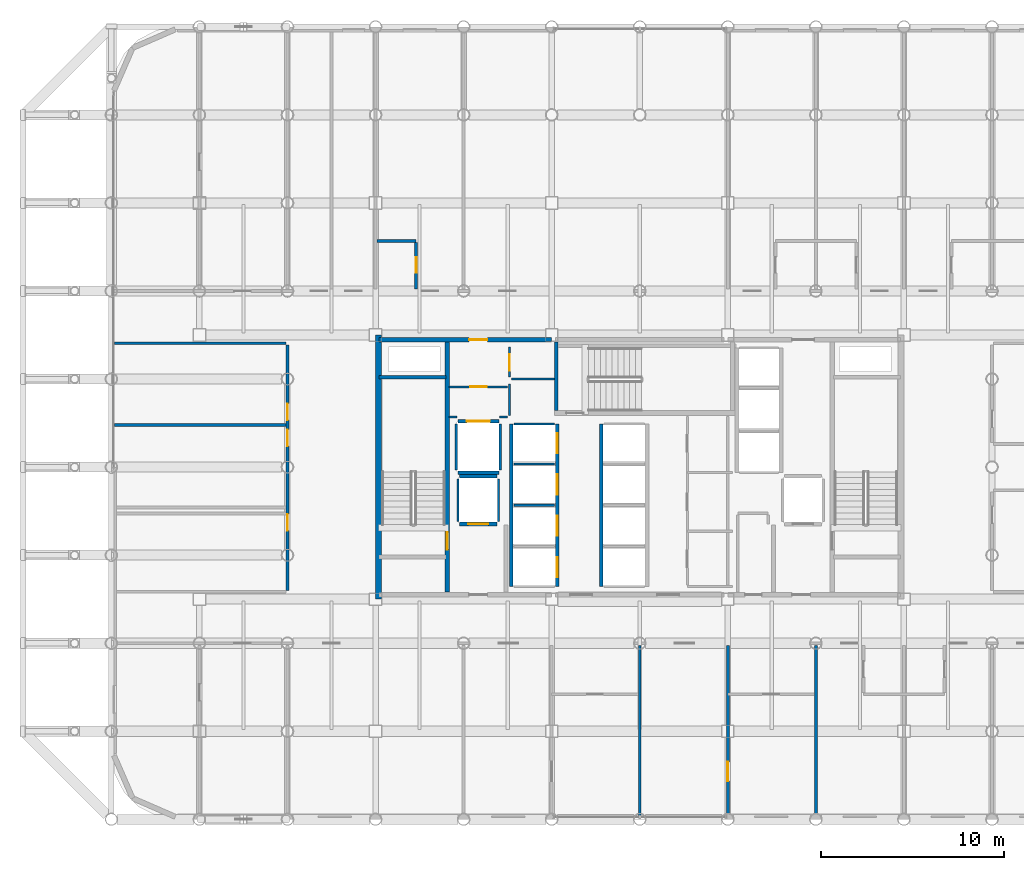
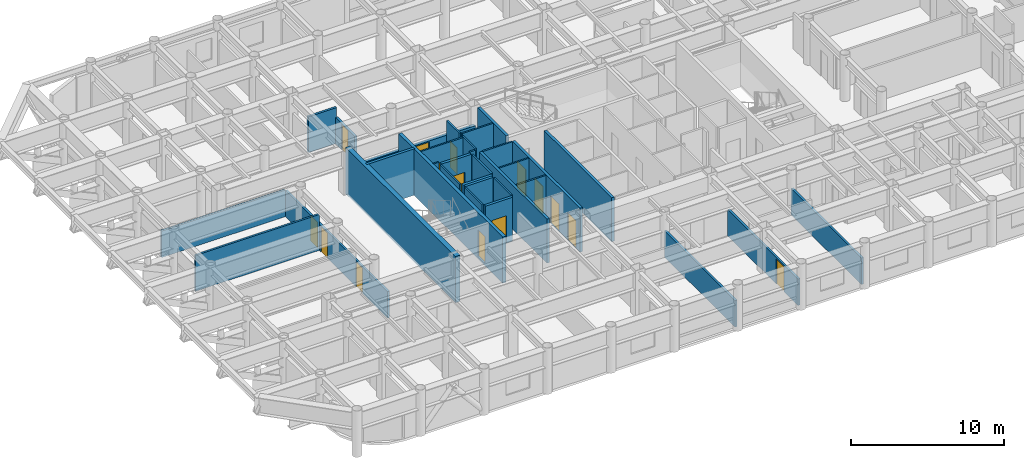
# One storey, part 18 of 23: 33 walls, 15 doors, 15 openings.
"""IFC4 building model written with IfcOpenShell, lengths in metres."""

from ifc_helpers import new_model, si_unit, direction, frame, frame_2d, origin, place, context, subcontext, project, spatial, rectangle, extrude, material, layer, layer_set, type_object, element, fill, save


model = new_model("IFC4")

# Units and contexts
model_context = context("Model", 3, precision=1e-05, world=origin(), true_north=direction((0.0, 1.0)))
body_context = subcontext(model_context, "Body", "Model", "MODEL_VIEW")
ifc_project = project(units=[si_unit("LENGTHUNIT", "METRE"), si_unit("AREAUNIT", "SQUARE_METRE"), si_unit("VOLUMEUNIT", "CUBIC_METRE"), si_unit("PLANEANGLEUNIT", "RADIAN"), si_unit("MASSUNIT", "GRAM", prefix="KILO")], contexts=[model_context])

# Site, building, storey
site_placement = place(None, origin())
site = spatial("IfcSite", under=ifc_project, at=site_placement, CompositionType="ELEMENT")
building_placement = place(site_placement, origin())
building = spatial("IfcBuilding", under=site, at=building_placement, Name="Kallvorn Hotel Tower", CompositionType="ELEMENT")
storey_placement = place(building_placement, frame((0.0, 0.0, 121.10009765625)))
storey = spatial("IfcBuildingStorey", under=building, at=storey_placement, Name="L29", CompositionType="ELEMENT", Elevation=121.10009765625)

# Walls
ifc_material_1 = material(Name="Concrete C50/60", Category="concrete")
ifc_layer_1 = layer(ifc_material_1, 0.35009765625)
ifc_layer_set_1 = layer_set([ifc_layer_1], Name="WL_CORE_350")
wall_type_1 = type_object("IfcWallType", Name="WL_CORE_350", PredefinedType="SHEAR", material=ifc_layer_set_1)
wall_1_placement = place(storey_placement, frame((-14.239990234375, -7.199951171875, -0.18017578125), z_axis=(0.0, 0.0, 1.0), x_axis=(0.0, 1.0, 0.0)))
element("IfcWall", 1, at=wall_1_placement, inside=storey, type_object=wall_type_1, Name="L29 Core West Shear Wall", PredefinedType="SHEAR", context=body_context, shape_type="SweptSolid", body=[
    extrude(rectangle(XDim=14.39990234375, YDim=0.35009765625, at=frame_2d((7.199951171875, 0.0))), origin(), (0.0, 0.0, 1.0), 3.7001953125),
])
ifc_material_2 = material(Name="Fire-rated double-layer acoustic gypsum drywall EI 60")
ifc_layer_2 = layer(ifc_material_2, 0.159912109375)
ifc_layer_set_2 = layer_set([ifc_layer_2], Name="WL_DEMISE_160")
wall_type_2 = type_object("IfcWallType", Name="WL_DEMISE_160", PredefinedType="PARTITIONING", material=ifc_layer_set_2)
wall_2_placement = place(storey_placement, frame((-14.320068359375, 12.320068359375, 0.0), z_axis=(0.0, 0.0, 1.0), x_axis=(1.0, 0.0, 0.0)))
element("IfcWall", 2, at=wall_2_placement, inside=storey, type_object=wall_type_2, Name="L29 Suite 2908 Standard Twin Room Partition", PredefinedType="PARTITIONING", context=body_context, shape_type="SweptSolid", body=[
    extrude(rectangle(XDim=2.130126953125, YDim=0.159912109375, at=frame_2d((1.06494140625, 0.0))), origin(), (0.0, 0.0, 1.0), 2.869873046875),
])

# Wall, opening, door
wall_3_placement = place(storey_placement, frame((-12.18994140625, 9.719970703125, 0.0), z_axis=(0.0, 0.0, 1.0), x_axis=(0.0, 1.0, 0.0)))
wall_3 = element("IfcWall", 3, at=wall_3_placement, inside=storey, type_object=wall_type_2, Name="L29 Suite 2908 Standard Twin Room Partition", PredefinedType="PARTITIONING", context=body_context, shape_type="SweptSolid", body=[
    extrude(rectangle(XDim=2.51513671875, YDim=0.159912109375, at=frame_2d((1.257568359375, 0.0))), origin(), (0.0, 0.0, 1.0), 2.119873046875),
])
opening_1_placement = place(wall_3_placement, frame((0.8701171875, 0.0, 0.0)))
opening_1 = element("IfcOpeningElement", 4, at=opening_1_placement, cuts=wall_3, Name="Opening BD-IA", PredefinedType="OPENING", context=body_context, shape_type="SweptSolid", body=[
    extrude(rectangle(XDim=0.860107421875, YDim=2.02001953125, at=frame_2d((0.43017578125, 1.010009765625))), frame((0.0, 0.094970703125, 0.0), z_axis=(0.0, -1.0, 0.0), x_axis=(1.0, 0.0, 0.0)), (0.0, 0.0, 1.0), 0.18994140625),
])
ifc_material_3 = material(Name="Solid-core walnut veneer fire-rated timber door leaf", Category="wood")
door_type_1 = type_object("IfcDoorType", Name="DR_BATH_860x2020", OperationType="NOTDEFINED", PredefinedType="DOOR", material=ifc_material_3)
door_1_placement = place(opening_1_placement, origin())
door_1 = element("IfcDoor", 5, at=door_1_placement, inside=storey, type_object=door_type_1, Name="L29 Suite 2908 En-Suite Bathroom Door", OperationType="SINGLE_SWING_LEFT", OverallHeight=2.02001953125, OverallWidth=0.860107421875, PredefinedType="DOOR", context=body_context, shape_type="SweptSolid", body=[
    extrude(rectangle(XDim=0.860107421875, YDim=2.02001953125, at=frame_2d((0.43017578125, 1.010009765625))), frame((0.0, 0.02490234375, 0.0), z_axis=(0.0, -1.0, 0.0), x_axis=(1.0, 0.0, 0.0)), (0.0, 0.0, 1.0), 0.050048828125),
])
fill(opening_1, door_1)

# Wall
wall_4_placement = place(storey_placement, frame((0.0, -18.9951171875, 0.0), z_axis=(0.0, 0.0, 1.0), x_axis=(0.0, 1.0, 0.0)))
element("IfcWall", 6, at=wall_4_placement, inside=storey, type_object=wall_type_2, Name="L29 Suite 2903 Executive Bedroom Partition", PredefinedType="PARTITIONING", context=body_context, shape_type="SweptSolid", body=[
    extrude(rectangle(XDim=9.275146484375, YDim=0.159912109375, at=frame_2d((4.6376953125, 0.0))), origin(), (0.0, 0.0, 1.0), 2.119873046875),
])

# Wall, opening, door
wall_5_placement = place(storey_placement, frame((4.800048828125, -18.909912109375, 0.0), z_axis=(0.0, 0.0, 1.0), x_axis=(0.0, 1.0, 0.0)))
wall_5 = element("IfcWall", 7, at=wall_5_placement, inside=storey, type_object=wall_type_2, Name="L29 Suite 2904 Executive Bedroom Partition", PredefinedType="PARTITIONING", context=body_context, shape_type="SweptSolid", body=[
    extrude(rectangle(XDim=9.18994140625, YDim=0.159912109375, at=frame_2d((4.594970703125, 0.0))), origin(), (0.0, 0.0, 1.0), 2.119873046875),
])
opening_2_placement = place(wall_5_placement, frame((1.79296875, 0.0, 0.0)))
opening_2 = element("IfcOpeningElement", 8, at=opening_2_placement, cuts=wall_5, Name="Opening GD2A", PredefinedType="OPENING", context=body_context, shape_type="SweptSolid", body=[
    extrude(rectangle(XDim=1.050048828125, YDim=2.02001953125, at=frame_2d((0.52490234375, 1.010009765625))), frame((0.0, 0.094970703125, 0.0), z_axis=(0.0, -1.0, 0.0), x_axis=(1.0, 0.0, 0.0)), (0.0, 0.0, 1.0), 0.18994140625),
])
ifc_material_4 = material(Name="Solid-core walnut veneer fire-rated timber door leaf", Category="wood")
door_type_2 = type_object("IfcDoorType", Name="DR_SUITE_1050x2020", OperationType="NOTDEFINED", PredefinedType="DOOR", material=ifc_material_4)
door_2_placement = place(opening_2_placement, origin())
door_2 = element("IfcDoor", 9, at=door_2_placement, inside=storey, type_object=door_type_2, Name="L29 Suite 2904 Executive Bedroom Door", OperationType="SINGLE_SWING_LEFT", OverallHeight=2.02001953125, OverallWidth=1.050048828125, PredefinedType="DOOR", context=body_context, shape_type="SweptSolid", body=[
    extrude(rectangle(XDim=1.050048828125, YDim=2.02001953125, at=frame_2d((0.52490234375, 1.010009765625))), frame((0.0, 0.02490234375, 0.0), z_axis=(0.0, -1.0, 0.0), x_axis=(1.0, 0.0, 0.0)), (0.0, 0.0, 1.0), 0.050048828125),
])
fill(opening_2, door_2)

# Walls
wall_6_placement = place(storey_placement, frame((9.60009765625, -18.909912109375, 0.0), z_axis=(0.0, 0.0, 1.0), x_axis=(0.0, 1.0, 0.0)))
element("IfcWall", 10, at=wall_6_placement, inside=storey, type_object=wall_type_2, Name="L29 Suite 2904 Executive Bedroom Partition", PredefinedType="PARTITIONING", context=body_context, shape_type="SweptSolid", body=[
    extrude(rectangle(XDim=9.18994140625, YDim=0.159912109375, at=frame_2d((4.594970703125, 0.0))), origin(), (0.0, 0.0, 1.0), 2.119873046875),
])
ifc_material_5 = material(Name="Concrete C40/50", Category="concrete")
ifc_layer_3 = layer(ifc_material_5, 0.199951171875)
ifc_layer_set_3 = layer_set([ifc_layer_3], Name="WL_HOIST_200")
wall_type_3 = type_object("IfcWallType", Name="WL_HOIST_200", PredefinedType="SOLIDWALL", material=ifc_layer_set_3)
wall_7_placement = place(storey_placement, frame((-14.199951171875, 4.89990234375, -0.18017578125), z_axis=(0.0, 0.0, 1.0), x_axis=(1.0, 0.0, 0.0)))
element("IfcWall", 11, at=wall_7_placement, inside=storey, type_object=wall_type_3, Name="L29 Stair ST1 North Wall", PredefinedType="SOLIDWALL", context=body_context, shape_type="SweptSolid", body=[
    extrude(rectangle(XDim=3.64990234375, YDim=0.199951171875, at=frame_2d((1.824951171875, 0.0))), origin(), (0.0, 0.0, 1.0), 3.7001953125),
])
wall_8_placement = place(storey_placement, frame((-4.550048828125, 3.080078125, -0.18017578125), z_axis=(0.0, 0.0, 1.0), x_axis=(0.0, 1.0, 0.0)))
element("IfcWall", 12, at=wall_8_placement, inside=storey, type_object=wall_type_3, Name="L29 Stair ST3 West Wall", PredefinedType="SOLIDWALL", context=body_context, shape_type="SweptSolid", body=[
    extrude(rectangle(XDim=3.739990234375, YDim=0.199951171875, at=frame_2d((1.8701171875, 0.0))), origin(), (0.0, 0.0, 1.0), 3.7001953125),
])

# Wall, openings, doors
wall_9_placement = place(storey_placement, frame((-4.5, -6.5, 0.0), z_axis=(0.0, 0.0, 1.0), x_axis=(0.0, 1.0, 0.0)))
wall_9 = element("IfcWall", 13, at=wall_9_placement, inside=storey, type_object=wall_type_3, Name="L29 Lift Bank B1 Landing Wall", PredefinedType="SOLIDWALL", context=body_context, shape_type="SweptSolid", body=[
    extrude(rectangle(XDim=8.85009765625, YDim=0.199951171875, at=frame_2d((4.425048828125, 0.0))), origin(), (0.0, 0.0, 1.0), 3.52001953125),
])
opening_3_placement = place(wall_9_placement, frame((0.5, 0.0, 0.0)))
opening_3 = element("IfcOpeningElement", 14, at=opening_3_placement, cuts=wall_9, Name="Opening LD-PL-01", PredefinedType="OPENING", context=body_context, shape_type="SweptSolid", body=[
    extrude(rectangle(XDim=1.10009765625, YDim=2.199951171875, at=frame_2d((0.550048828125, 1.10009765625))), frame((0.0, 0.114990234375, 0.0), z_axis=(0.0, -1.0, 0.0), x_axis=(1.0, 0.0, 0.0)), (0.0, 0.0, 1.0), 0.22998046875),
])
opening_4_placement = place(wall_9_placement, frame((2.75, 0.0, 0.0)))
opening_4 = element("IfcOpeningElement", 15, at=opening_4_placement, cuts=wall_9, Name="Opening LD-PL-02", PredefinedType="OPENING", context=body_context, shape_type="SweptSolid", body=[
    extrude(rectangle(XDim=1.10009765625, YDim=2.199951171875, at=frame_2d((0.550048828125, 1.10009765625))), frame((0.0, 0.114990234375, 0.0), z_axis=(0.0, -1.0, 0.0), x_axis=(1.0, 0.0, 0.0)), (0.0, 0.0, 1.0), 0.22998046875),
])
opening_5_placement = place(wall_9_placement, frame((5.0, 0.0, 0.0)))
opening_5 = element("IfcOpeningElement", 16, at=opening_5_placement, cuts=wall_9, Name="Opening LD-PL-03", PredefinedType="OPENING", context=body_context, shape_type="SweptSolid", body=[
    extrude(rectangle(XDim=1.10009765625, YDim=2.199951171875, at=frame_2d((0.550048828125, 1.10009765625))), frame((0.0, 0.114990234375, 0.0), z_axis=(0.0, -1.0, 0.0), x_axis=(1.0, 0.0, 0.0)), (0.0, 0.0, 1.0), 0.22998046875),
])
opening_6_placement = place(wall_9_placement, frame((7.25, 0.0, 0.0)))
opening_6 = element("IfcOpeningElement", 17, at=opening_6_placement, cuts=wall_9, Name="Opening LD-PL-04", PredefinedType="OPENING", context=body_context, shape_type="SweptSolid", body=[
    extrude(rectangle(XDim=1.10009765625, YDim=2.199951171875, at=frame_2d((0.550048828125, 1.10009765625))), frame((0.0, 0.114990234375, 0.0), z_axis=(0.0, -1.0, 0.0), x_axis=(1.0, 0.0, 0.0)), (0.0, 0.0, 1.0), 0.22998046875),
])
ifc_material_6 = material(Name="Brushed stainless-steel automatic sliding lift landing door", Category="steel")
door_type_3 = type_object("IfcDoorType", Name="LD_PASS_1100x2200", OperationType="SLIDING_TO_LEFT", PredefinedType="DOOR", material=ifc_material_6)
door_3_placement = place(opening_3_placement, origin())
door_3 = element("IfcDoor", 18, at=door_3_placement, inside=storey, type_object=door_type_3, Name="L29 Lift Landing Sliding Door LD-PL-01", OperationType="SLIDING_TO_LEFT", OverallHeight=2.199951171875, OverallWidth=1.10009765625, PredefinedType="DOOR", context=body_context, shape_type="SweptSolid", body=[
    extrude(rectangle(XDim=1.10009765625, YDim=2.199951171875, at=frame_2d((0.550048828125, 1.10009765625))), frame((0.0, 0.02490234375, 0.0), z_axis=(0.0, -1.0, 0.0), x_axis=(1.0, 0.0, 0.0)), (0.0, 0.0, 1.0), 0.050048828125),
])
fill(opening_3, door_3)
door_4_placement = place(opening_4_placement, origin())
door_4 = element("IfcDoor", 19, at=door_4_placement, inside=storey, type_object=door_type_3, Name="L29 Lift Landing Sliding Door LD-PL-02", OperationType="SLIDING_TO_LEFT", OverallHeight=2.199951171875, OverallWidth=1.10009765625, PredefinedType="DOOR", context=body_context, shape_type="SweptSolid", body=[
    extrude(rectangle(XDim=1.10009765625, YDim=2.199951171875, at=frame_2d((0.550048828125, 1.10009765625))), frame((0.0, 0.02490234375, 0.0), z_axis=(0.0, -1.0, 0.0), x_axis=(1.0, 0.0, 0.0)), (0.0, 0.0, 1.0), 0.050048828125),
])
fill(opening_4, door_4)
door_5_placement = place(opening_5_placement, origin())
door_5 = element("IfcDoor", 20, at=door_5_placement, inside=storey, type_object=door_type_3, Name="L29 Lift Landing Sliding Door LD-PL-03", OperationType="SLIDING_TO_LEFT", OverallHeight=2.199951171875, OverallWidth=1.10009765625, PredefinedType="DOOR", context=body_context, shape_type="SweptSolid", body=[
    extrude(rectangle(XDim=1.10009765625, YDim=2.199951171875, at=frame_2d((0.550048828125, 1.10009765625))), frame((0.0, 0.02490234375, 0.0), z_axis=(0.0, -1.0, 0.0), x_axis=(1.0, 0.0, 0.0)), (0.0, 0.0, 1.0), 0.050048828125),
])
fill(opening_5, door_5)
door_6_placement = place(opening_6_placement, origin())
door_6 = element("IfcDoor", 21, at=door_6_placement, inside=storey, type_object=door_type_3, Name="L29 Lift Landing Sliding Door LD-PL-04", OperationType="SLIDING_TO_LEFT", OverallHeight=2.199951171875, OverallWidth=1.10009765625, PredefinedType="DOOR", context=body_context, shape_type="SweptSolid", body=[
    extrude(rectangle(XDim=1.10009765625, YDim=2.199951171875, at=frame_2d((0.550048828125, 1.10009765625))), frame((0.0, 0.02490234375, 0.0), z_axis=(0.0, -1.0, 0.0), x_axis=(1.0, 0.0, 0.0)), (0.0, 0.0, 1.0), 0.050048828125),
])
fill(opening_6, door_6)

# Walls
for number, where, z_axis, x_axis, name in (
    (22, (-7.0, -6.5, 0.0), (0.0, 0.0, 1.0), (0.0, 1.0, 0.0), "L29 Lift Bank B1 Rear Shaft Wall"),
    (23, (-2.10009765625, -6.5, 0.0), (0.0, 0.0, 1.0), (0.0, 1.0, 0.0), "L29 Lift Bank B2 Landing Wall"),
):
    element("IfcWall", number, at=place(storey_placement, frame(where, z_axis=z_axis, x_axis=x_axis)), inside=storey, type_object=wall_type_3, Name=name, PredefinedType="SOLIDWALL", context=body_context, shape_type="SweptSolid", body=[
        extrude(rectangle(XDim=8.85009765625, YDim=0.199951171875, at=frame_2d((4.425048828125, 0.0))), origin(), (0.0, 0.0, 1.0), 3.52001953125),
    ])

# Wall, opening, door
wall_10_placement = place(storey_placement, frame((-9.820068359375, -3.10009765625, 0.0), z_axis=(0.0, 0.0, 1.0), x_axis=(1.0, 0.0, 0.0)))
wall_10 = element("IfcWall", 24, at=wall_10_placement, inside=storey, type_object=wall_type_3, Name="L29 FL-1 Landing Wall", PredefinedType="SOLIDWALL", context=body_context, shape_type="SweptSolid", body=[
    extrude(rectangle(XDim=2.0400390625, YDim=0.199951171875, at=frame_2d((1.02001953125, 0.0))), origin(), (0.0, 0.0, 1.0), 3.52001953125),
])
opening_7_placement = place(wall_10_placement, frame((0.469970703125, 0.0, 0.0)))
opening_7 = element("IfcOpeningElement", 25, at=opening_7_placement, cuts=wall_10, Name="Opening LD-FL-1", PredefinedType="OPENING", context=body_context, shape_type="SweptSolid", body=[
    extrude(rectangle(XDim=1.10009765625, YDim=2.199951171875, at=frame_2d((0.550048828125, 1.10009765625))), frame((0.0, 0.114990234375, 0.0), z_axis=(0.0, -1.0, 0.0), x_axis=(1.0, 0.0, 0.0)), (0.0, 0.0, 1.0), 0.22998046875),
])
door_7_placement = place(opening_7_placement, origin())
door_7 = element("IfcDoor", 26, at=door_7_placement, inside=storey, type_object=door_type_3, Name="L29 Lift Landing Sliding Door LD-FL-1", OperationType="SLIDING_TO_LEFT", OverallHeight=2.199951171875, OverallWidth=1.10009765625, PredefinedType="DOOR", context=body_context, shape_type="SweptSolid", body=[
    extrude(rectangle(XDim=1.10009765625, YDim=2.199951171875, at=frame_2d((0.550048828125, 1.10009765625))), frame((0.0, 0.02490234375, 0.0), z_axis=(0.0, -1.0, 0.0), x_axis=(1.0, 0.0, 0.0)), (0.0, 0.0, 1.0), 0.050048828125),
])
fill(opening_7, door_7)

# Wall
wall_11_placement = place(storey_placement, frame((-9.820068359375, -0.5, 0.0), z_axis=(0.0, 0.0, 1.0), x_axis=(1.0, 0.0, 0.0)))
element("IfcWall", 27, at=wall_11_placement, inside=storey, type_object=wall_type_3, Name="L29 FL-1 Rear Shaft Wall", PredefinedType="SOLIDWALL", context=body_context, shape_type="SweptSolid", body=[
    extrude(rectangle(XDim=2.0400390625, YDim=0.199951171875, at=frame_2d((1.02001953125, 0.0))), origin(), (0.0, 0.0, 1.0), 3.52001953125),
])

# Wall, opening, door
wall_12_placement = place(storey_placement, frame((-9.919921875, 2.5, 0.0), z_axis=(0.0, 0.0, 1.0), x_axis=(1.0, 0.0, 0.0)))
wall_12 = element("IfcWall", 28, at=wall_12_placement, inside=storey, type_object=wall_type_3, Name="L29 SV-01 Landing Wall", PredefinedType="SOLIDWALL", context=body_context, shape_type="SweptSolid", body=[
    extrude(rectangle(XDim=2.239990234375, YDim=0.199951171875, at=frame_2d((1.1201171875, 0.0))), origin(), (0.0, 0.0, 1.0), 3.52001953125),
])
opening_8_placement = place(wall_12_placement, frame((0.4951171875, 0.0, 0.0)))
opening_8 = element("IfcOpeningElement", 29, at=opening_8_placement, cuts=wall_12, Name="Opening LD-SV-01", PredefinedType="OPENING", context=body_context, shape_type="SweptSolid", body=[
    extrude(rectangle(XDim=1.25, YDim=2.25, at=frame_2d((0.625, 1.125))), frame((0.0, 0.114990234375, 0.0), z_axis=(0.0, -1.0, 0.0), x_axis=(1.0, 0.0, 0.0)), (0.0, 0.0, 1.0), 0.22998046875),
])
ifc_material_7 = material(Name="Brushed stainless-steel automatic sliding lift landing door", Category="steel")
door_type_4 = type_object("IfcDoorType", Name="LD_SERV_1250x2250", OperationType="SLIDING_TO_LEFT", PredefinedType="DOOR", material=ifc_material_7)
door_8_placement = place(opening_8_placement, origin())
door_8 = element("IfcDoor", 30, at=door_8_placement, inside=storey, type_object=door_type_4, Name="L29 Lift Landing Sliding Door LD-SV-01", OperationType="SLIDING_TO_LEFT", OverallHeight=2.25, OverallWidth=1.25, PredefinedType="DOOR", context=body_context, shape_type="SweptSolid", body=[
    extrude(rectangle(XDim=1.25, YDim=2.25, at=frame_2d((0.625, 1.125))), frame((0.0, 0.02490234375, 0.0), z_axis=(0.0, -1.0, 0.0), x_axis=(1.0, 0.0, 0.0)), (0.0, 0.0, 1.0), 0.050048828125),
])
fill(opening_8, door_8)

# Walls
wall_13_placement = place(storey_placement, frame((-9.919921875, -0.300048828125, 0.0), z_axis=(0.0, 0.0, 1.0), x_axis=(1.0, 0.0, 0.0)))
element("IfcWall", 31, at=wall_13_placement, inside=storey, type_object=wall_type_3, Name="L29 SV-01 Rear Shaft Wall", PredefinedType="SOLIDWALL", context=body_context, shape_type="SweptSolid", body=[
    extrude(rectangle(XDim=2.239990234375, YDim=0.199951171875, at=frame_2d((1.1201171875, 0.0))), origin(), (0.0, 0.0, 1.0), 3.52001953125),
])
ifc_material_8 = material(Name="Fire-rated double-layer acoustic gypsum drywall EI 60")
ifc_layer_4 = layer(ifc_material_8, 0.1201171875)
ifc_layer_set_4 = layer_set([ifc_layer_4], Name="WL_INT_120")
wall_type_4 = type_object("IfcWallType", Name="WL_INT_120", PredefinedType="PARTITIONING", material=ifc_layer_set_4)
for number, where, z_axis, x_axis, name in (
    (32, (-6.860107421875, -2.074951171875, 0.0), (0.0, 0.0, 1.0), (1.0, 0.0, 0.0), "L29 PL-02 Hoistway Divider"),
    (33, (-6.860107421875, 0.175048828125, 0.0), (0.0, 0.0, 1.0), (1.0, 0.0, 0.0), "L29 PL-03 Hoistway Divider"),
    (34, (-6.860107421875, 2.35009765625, 0.0), (0.0, 0.0, 1.0), (1.0, 0.0, 0.0), "L29 PL-04 Hoistway Divider"),
):
    element("IfcWall", number, at=place(storey_placement, frame(where, z_axis=z_axis, x_axis=x_axis)), inside=storey, type_object=wall_type_4, Name=name, PredefinedType="PARTITIONING", context=body_context, shape_type="SweptSolid", body=[
        extrude(rectangle(XDim=2.22021484375, YDim=0.1201171875, at=frame_2d((1.110107421875, 0.0))), origin(), (0.0, 0.0, 1.0), 3.52001953125),
    ])
for number, where, z_axis, x_axis, name in (
    (35, (-9.89990234375, -2.9599609375, 0.0), (0.0, 0.0, 1.0), (0.0, 1.0, 0.0), "L29 FL-1 West Shaft Wall"),
    (36, (-7.699951171875, -2.9599609375, 0.0), (0.0, 0.0, 1.0), (0.0, 1.0, 0.0), "L29 FL-1 East Shaft Wall"),
):
    element("IfcWall", number, at=place(storey_placement, frame(where, z_axis=z_axis, x_axis=x_axis)), inside=storey, type_object=wall_type_4, Name=name, PredefinedType="PARTITIONING", context=body_context, shape_type="SweptSolid", body=[
        extrude(rectangle(XDim=2.320068359375, YDim=0.1201171875, at=frame_2d((1.16015625, 0.0))), origin(), (0.0, 0.0, 1.0), 3.52001953125),
    ])
for number, where, z_axis, x_axis, name in (
    (37, (-10.0, -0.159912109375, 0.0), (0.0, 0.0, 1.0), (0.0, 1.0, 0.0), "L29 SV-01 West Shaft Wall"),
    (38, (-7.60009765625, -0.159912109375, 0.0), (0.0, 0.0, 1.0), (0.0, 1.0, 0.0), "L29 SV-01 East Shaft Wall"),
):
    element("IfcWall", number, at=place(storey_placement, frame(where, z_axis=z_axis, x_axis=x_axis)), inside=storey, type_object=wall_type_4, Name=name, PredefinedType="PARTITIONING", context=body_context, shape_type="SweptSolid", body=[
        extrude(rectangle(XDim=2.52001953125, YDim=0.1201171875, at=frame_2d((1.260009765625, 0.0))), origin(), (0.0, 0.0, 1.0), 3.52001953125),
    ])
for number, where, z_axis, x_axis, name in (
    (39, (-10.39990234375, 2.72509765625, 0.0), (0.0, 0.0, 1.0), (1.0, 0.0, 0.0), "L29 Core Telecom and Metering Store Partition"),
    (40, (-7.639892578125, 2.72509765625, 0.0), (0.0, 0.0, 1.0), (1.0, 0.0, 0.0), "L29 Core Telecom and Metering Store Partition"),
):
    element("IfcWall", number, at=place(storey_placement, frame(where, z_axis=z_axis, x_axis=x_axis)), inside=storey, type_object=wall_type_4, Name=name, PredefinedType="PARTITIONING", context=body_context, shape_type="SweptSolid", body=[
        extrude(rectangle(XDim=0.43994140625, YDim=0.1201171875, at=frame_2d((0.219970703125, 0.0))), origin(), (0.0, 0.0, 1.0), 3.52001953125),
    ])

# Wall, opening, door
wall_14_placement = place(storey_placement, frame((-10.39990234375, 4.373291015625, 0.0), z_axis=(0.0, 0.0, 1.0), x_axis=(1.0, 0.0, 0.0)))
wall_14 = element("IfcWall", 41, at=wall_14_placement, inside=storey, type_object=wall_type_4, Name="L29 Core Telecom and Metering Store Partition", PredefinedType="PARTITIONING", context=body_context, shape_type="SweptSolid", body=[
    extrude(rectangle(XDim=3.199951171875, YDim=0.1201171875, at=frame_2d((1.60009765625, 0.0))), origin(), (0.0, 0.0, 1.0), 3.52001953125),
])
opening_9_placement = place(wall_14_placement, frame((1.14990234375, 0.0, 0.0)))
opening_9 = element("IfcOpeningElement", 42, at=opening_9_placement, cuts=wall_14, Name="Opening SVD1", PredefinedType="OPENING", context=body_context, shape_type="SweptSolid", body=[
    extrude(rectangle(XDim=0.89990234375, YDim=2.10009765625, at=frame_2d((0.449951171875, 1.050048828125))), frame((0.0, 0.074951171875, 0.0), z_axis=(0.0, -1.0, 0.0), x_axis=(1.0, 0.0, 0.0)), (0.0, 0.0, 1.0), 0.150146484375),
])
ifc_material_9 = material(Name="Galvanised painted steel fire-rated door assembly", Category="steel")
door_type_5 = type_object("IfcDoorType", Name="DR_SERV_900x2100", OperationType="NOTDEFINED", PredefinedType="DOOR", material=ifc_material_9)
door_9_placement = place(opening_9_placement, origin())
door_9 = element("IfcDoor", 43, at=door_9_placement, inside=storey, type_object=door_type_5, Name="L29 Core Telecom and Metering Store Door", OperationType="SINGLE_SWING_LEFT", OverallHeight=2.10009765625, OverallWidth=0.89990234375, PredefinedType="DOOR", context=body_context, shape_type="SweptSolid", body=[
    extrude(rectangle(XDim=0.89990234375, YDim=2.10009765625, at=frame_2d((0.449951171875, 1.050048828125))), frame((0.0, 0.02490234375, 0.0), z_axis=(0.0, -1.0, 0.0), x_axis=(1.0, 0.0, 0.0)), (0.0, 0.0, 1.0), 0.050048828125),
])
fill(opening_9, door_9)

# Walls
wall_15_placement = place(storey_placement, frame((-7.0, 4.800048828125, 0.0), z_axis=(0.0, 0.0, 1.0), x_axis=(1.0, 0.0, 0.0)))
element("IfcWall", 44, at=wall_15_placement, inside=storey, type_object=wall_type_4, Name="L29 Core Room Service Staging Pantry Partition", PredefinedType="PARTITIONING", context=body_context, shape_type="SweptSolid", body=[
    extrude(rectangle(XDim=2.35009765625, YDim=0.1201171875, at=frame_2d((1.175048828125, 0.0))), origin(), (0.0, 0.0, 1.0), 3.52001953125),
])
wall_16_placement = place(storey_placement, frame((-7.10009765625, 2.81005859375, 0.0), z_axis=(0.0, 0.0, 1.0), x_axis=(0.0, 1.0, 0.0)))
element("IfcWall", 45, at=wall_16_placement, inside=storey, type_object=wall_type_4, Name="L29 Core Telecom and Metering Store Partition", PredefinedType="PARTITIONING", context=body_context, shape_type="SweptSolid", body=[
    extrude(rectangle(XDim=1.7099609375, YDim=0.1201171875, at=frame_2d((0.85498046875, 0.0))), origin(), (0.0, 0.0, 1.0), 3.52001953125),
])

# Wall, opening, door
wall_17_placement = place(storey_placement, frame((-7.10009765625, 4.89990234375, 0.0), z_axis=(0.0, 0.0, 1.0), x_axis=(0.0, 1.0, 0.0)))
wall_17 = element("IfcWall", 46, at=wall_17_placement, inside=storey, type_object=wall_type_4, Name="L29 Core Room Service Staging Pantry Partition", PredefinedType="PARTITIONING", context=body_context, shape_type="SweptSolid", body=[
    extrude(rectangle(XDim=1.650146484375, YDim=0.1201171875, at=frame_2d((0.8251953125, 0.0))), origin(), (0.0, 0.0, 1.0), 3.52001953125),
])
opening_10_placement = place(wall_17_placement, frame((0.35009765625, 0.0, 0.0)))
opening_10 = element("IfcOpeningElement", 47, at=opening_10_placement, cuts=wall_17, Name="Opening SVD1", PredefinedType="OPENING", context=body_context, shape_type="SweptSolid", body=[
    extrude(rectangle(XDim=0.89990234375, YDim=2.10009765625, at=frame_2d((0.449951171875, 1.050048828125))), frame((0.0, 0.074951171875, 0.0), z_axis=(0.0, -1.0, 0.0), x_axis=(1.0, 0.0, 0.0)), (0.0, 0.0, 1.0), 0.150146484375),
])
door_10_placement = place(opening_10_placement, origin())
door_10 = element("IfcDoor", 48, at=door_10_placement, inside=storey, type_object=door_type_5, Name="L29 Core Room Service Staging Pantry Door", OperationType="SINGLE_SWING_RIGHT", OverallHeight=2.10009765625, OverallWidth=0.89990234375, PredefinedType="DOOR", context=body_context, shape_type="SweptSolid", body=[
    extrude(rectangle(XDim=0.89990234375, YDim=2.10009765625, at=frame_2d((0.449951171875, 1.050048828125))), frame((0.0, 0.02490234375, 0.0), z_axis=(0.0, -1.0, 0.0), x_axis=(1.0, 0.0, 0.0)), (0.0, 0.0, 1.0), 0.050048828125),
])
fill(opening_10, door_10)

# Walls
ifc_material_10 = material(Name="Fire-rated double-layer acoustic gypsum drywall EI 60")
ifc_layer_5 = layer(ifc_material_10, 0.14990234375)
ifc_layer_set_5 = layer_set([ifc_layer_5], Name="WL_PART_150")
wall_type_5 = type_object("IfcWallType", Name="WL_PART_150", PredefinedType="PARTITIONING", material=ifc_layer_set_5)
wall_18_placement = place(storey_placement, frame((-28.6298828125, 2.300048828125, 0.0), z_axis=(0.0, 0.0, 1.0), x_axis=(1.0, 0.0, 0.0)))
element("IfcWall", 49, at=wall_18_placement, inside=storey, type_object=wall_type_5, Name="L29 L29 W Central Reading Gallery Partition", PredefinedType="PARTITIONING", context=body_context, shape_type="SweptSolid", body=[
    extrude(rectangle(XDim=9.349853515625, YDim=0.14990234375, at=frame_2d((4.6748046875, 0.0))), origin(), (0.0, 0.0, 1.0), 2.869873046875),
])
wall_19_placement = place(storey_placement, frame((-28.6298828125, 6.75, 0.0), z_axis=(0.0, 0.0, 1.0), x_axis=(1.0, 0.0, 0.0)))
element("IfcWall", 50, at=wall_19_placement, inside=storey, type_object=wall_type_5, Name="L29 L29 W North Movement Gymnasium Partition", PredefinedType="PARTITIONING", context=body_context, shape_type="SweptSolid", body=[
    extrude(rectangle(XDim=9.349853515625, YDim=0.14990234375, at=frame_2d((4.6748046875, 0.0))), origin(), (0.0, 0.0, 1.0), 2.119873046875),
])

# Wall, openings, doors
wall_20_placement = place(storey_placement, frame((-19.199951171875, -6.715087890625, 0.0), z_axis=(0.0, 0.0, 1.0), x_axis=(0.0, 1.0, 0.0)))
wall_20 = element("IfcWall", 51, at=wall_20_placement, inside=storey, type_object=wall_type_5, Name="L29 L29 W South Tasting Bar Partition", PredefinedType="PARTITIONING", context=body_context, shape_type="SweptSolid", body=[
    extrude(rectangle(XDim=13.380126953125, YDim=0.14990234375, at=frame_2d((6.68994140625, 0.0))), origin(), (0.0, 0.0, 1.0), 2.119873046875),
])
opening_11_placement = place(wall_20_placement, frame((3.2548828125, 0.0, 0.0)))
opening_11 = element("IfcOpeningElement", 52, at=opening_11_placement, cuts=wall_20, Name="Opening SVD1A", PredefinedType="OPENING", context=body_context, shape_type="SweptSolid", body=[
    extrude(rectangle(XDim=0.89990234375, YDim=2.02001953125, at=frame_2d((0.449951171875, 1.010009765625))), frame((0.0, 0.08984375, 0.0), z_axis=(0.0, -1.0, 0.0), x_axis=(1.0, 0.0, 0.0)), (0.0, 0.0, 1.0), 0.179931640625),
])
opening_12_placement = place(wall_20_placement, frame((7.85498046875, 0.0, 0.0)))
opening_12 = element("IfcOpeningElement", 53, at=opening_12_placement, cuts=wall_20, Name="Opening SVD1A", PredefinedType="OPENING", context=body_context, shape_type="SweptSolid", body=[
    extrude(rectangle(XDim=0.89990234375, YDim=2.02001953125, at=frame_2d((0.449951171875, 1.010009765625))), frame((0.0, 0.08984375, 0.0), z_axis=(0.0, -1.0, 0.0), x_axis=(1.0, 0.0, 0.0)), (0.0, 0.0, 1.0), 0.179931640625),
])
opening_13_placement = place(wall_20_placement, frame((9.27490234375, 0.0, 0.0)))
opening_13 = element("IfcOpeningElement", 54, at=opening_13_placement, cuts=wall_20, Name="Opening SVD1A", PredefinedType="OPENING", context=body_context, shape_type="SweptSolid", body=[
    extrude(rectangle(XDim=0.89990234375, YDim=2.02001953125, at=frame_2d((0.449951171875, 1.010009765625))), frame((0.0, 0.08984375, 0.0), z_axis=(0.0, -1.0, 0.0), x_axis=(1.0, 0.0, 0.0)), (0.0, 0.0, 1.0), 0.179931640625),
])
ifc_material_11 = material(Name="Galvanised painted steel fire-rated door assembly", Category="steel")
door_type_6 = type_object("IfcDoorType", Name="DR_SERV_900x2020", OperationType="NOTDEFINED", PredefinedType="DOOR", material=ifc_material_11)
door_11_placement = place(opening_11_placement, origin())
door_11 = element("IfcDoor", 55, at=door_11_placement, inside=storey, type_object=door_type_6, Name="L29 L29 W South Tasting Bar Door", OperationType="SINGLE_SWING_RIGHT", OverallHeight=2.02001953125, OverallWidth=0.89990234375, PredefinedType="DOOR", context=body_context, shape_type="SweptSolid", body=[
    extrude(rectangle(XDim=0.89990234375, YDim=2.02001953125, at=frame_2d((0.449951171875, 1.010009765625))), frame((0.0, 0.02490234375, 0.0), z_axis=(0.0, -1.0, 0.0), x_axis=(1.0, 0.0, 0.0)), (0.0, 0.0, 1.0), 0.050048828125),
])
fill(opening_11, door_11)
door_12_placement = place(opening_12_placement, origin())
door_12 = element("IfcDoor", 56, at=door_12_placement, inside=storey, type_object=door_type_6, Name="L29 L29 W Central Reading Gallery Door", OperationType="SINGLE_SWING_RIGHT", OverallHeight=2.02001953125, OverallWidth=0.89990234375, PredefinedType="DOOR", context=body_context, shape_type="SweptSolid", body=[
    extrude(rectangle(XDim=0.89990234375, YDim=2.02001953125, at=frame_2d((0.449951171875, 1.010009765625))), frame((0.0, 0.02490234375, 0.0), z_axis=(0.0, -1.0, 0.0), x_axis=(1.0, 0.0, 0.0)), (0.0, 0.0, 1.0), 0.050048828125),
])
fill(opening_12, door_12)
door_13_placement = place(opening_13_placement, origin())
door_13 = element("IfcDoor", 57, at=door_13_placement, inside=storey, type_object=door_type_6, Name="L29 L29 W North Movement Gymnasium Door", OperationType="SINGLE_SWING_LEFT", OverallHeight=2.02001953125, OverallWidth=0.89990234375, PredefinedType="DOOR", context=body_context, shape_type="SweptSolid", body=[
    extrude(rectangle(XDim=0.89990234375, YDim=2.02001953125, at=frame_2d((0.449951171875, 1.010009765625))), frame((0.0, 0.02490234375, 0.0), z_axis=(0.0, -1.0, 0.0), x_axis=(1.0, 0.0, 0.0)), (0.0, 0.0, 1.0), 0.050048828125),
])
fill(opening_13, door_13)

# Wall, opening, door
ifc_material_12 = material(Name="Concrete C40/50", Category="concrete")
ifc_layer_6 = layer(ifc_material_12, 0.25)
ifc_layer_set_6 = layer_set([ifc_layer_6], Name="WL_SHAFT_250")
wall_type_6 = type_object("IfcWallType", Name="WL_SHAFT_250", PredefinedType="SOLIDWALL", material=ifc_layer_set_6)
wall_21_placement = place(storey_placement, frame((-14.199951171875, 6.949951171875, 0.0), z_axis=(0.0, 0.0, 1.0), x_axis=(1.0, 0.0, 0.0)))
wall_21 = element("IfcWall", 58, at=wall_21_placement, inside=storey, type_object=wall_type_6, Name="L29 Core North-West Wall", PredefinedType="SOLIDWALL", context=body_context, shape_type="SweptSolid", body=[
    extrude(rectangle(XDim=9.39990234375, YDim=0.25, at=frame_2d((4.699951171875, 0.0))), origin(), (0.0, 0.0, 1.0), 2.119873046875),
])
opening_14_placement = place(wall_21_placement, frame((4.89990234375, 0.0, 0.0)))
opening_14 = element("IfcOpeningElement", 59, at=opening_14_placement, cuts=wall_21, Name="Opening FD1A", PredefinedType="OPENING", context=body_context, shape_type="SweptSolid", body=[
    extrude(rectangle(XDim=1.0, YDim=2.02001953125, at=frame_2d((0.5, 1.010009765625))), frame((0.0, 0.139892578125, 0.0), z_axis=(0.0, -1.0, 0.0), x_axis=(1.0, 0.0, 0.0)), (0.0, 0.0, 1.0), 0.280029296875),
])
ifc_material_13 = material(Name="Galvanised painted steel fire-rated door assembly", Category="steel")
door_type_7 = type_object("IfcDoorType", Name="DR_FFL_1000x2020", OperationType="NOTDEFINED", PredefinedType="DOOR", material=ifc_material_13)
door_14_placement = place(opening_14_placement, origin())
door_14 = element("IfcDoor", 60, at=door_14_placement, inside=storey, type_object=door_type_7, Name="L29 Service Lift Lobby Door", OperationType="SINGLE_SWING_RIGHT", OverallHeight=2.02001953125, OverallWidth=1.0, PredefinedType="DOOR", context=body_context, shape_type="SweptSolid", body=[
    extrude(rectangle(XDim=1.0, YDim=2.02001953125, at=frame_2d((0.5, 1.010009765625))), frame((0.0, 0.02490234375, 0.0), z_axis=(0.0, -1.0, 0.0), x_axis=(1.0, 0.0, 0.0)), (0.0, 0.0, 1.0), 0.050048828125),
])
fill(opening_14, door_14)

wall_22_placement = place(storey_placement, frame((-10.5, -6.820068359375, -0.18017578125), z_axis=(0.0, 0.0, 1.0), x_axis=(0.0, 1.0, 0.0)))
wall_22 = element("IfcWall", 61, at=wall_22_placement, inside=storey, type_object=wall_type_6, Name="L29 Stair ST1 Shaft Wall", PredefinedType="SOLIDWALL", context=body_context, shape_type="SweptSolid", body=[
    extrude(rectangle(XDim=13.64013671875, YDim=0.25, at=frame_2d((6.820068359375, 0.0))), origin(), (0.0, 0.0, 1.0), 3.7001953125),
])
opening_15_placement = place(wall_22_placement, frame((2.320068359375, 0.0, 0.179931640625)))
opening_15 = element("IfcOpeningElement", 62, at=opening_15_placement, cuts=wall_22, Name="Opening SD1", PredefinedType="OPENING", context=body_context, shape_type="SweptSolid", body=[
    extrude(rectangle(XDim=0.949951171875, YDim=2.14990234375, at=frame_2d((0.47509765625, 1.074951171875))), frame((0.0, 0.139892578125, 0.0), z_axis=(0.0, -1.0, 0.0), x_axis=(1.0, 0.0, 0.0)), (0.0, 0.0, 1.0), 0.280029296875),
])
ifc_material_14 = material(Name="Galvanised painted steel fire-rated door assembly", Category="steel")
door_type_8 = type_object("IfcDoorType", Name="DR_STAIR_950x2150", OperationType="NOTDEFINED", PredefinedType="DOOR", material=ifc_material_14)
door_15_placement = place(opening_15_placement, origin())
door_15 = element("IfcDoor", 63, at=door_15_placement, inside=storey, type_object=door_type_8, Name="L29 Exit Stair ST1 Fire Door", OperationType="SINGLE_SWING_LEFT", OverallHeight=2.14990234375, OverallWidth=0.949951171875, PredefinedType="DOOR", context=body_context, shape_type="SweptSolid", body=[
    extrude(rectangle(XDim=0.949951171875, YDim=2.14990234375, at=frame_2d((0.47509765625, 1.074951171875))), frame((0.0, 0.02490234375, 0.0), z_axis=(0.0, -1.0, 0.0), x_axis=(1.0, 0.0, 0.0)), (0.0, 0.0, 1.0), 0.050048828125),
])
fill(opening_15, door_15)

save(model, "model.ifc")
